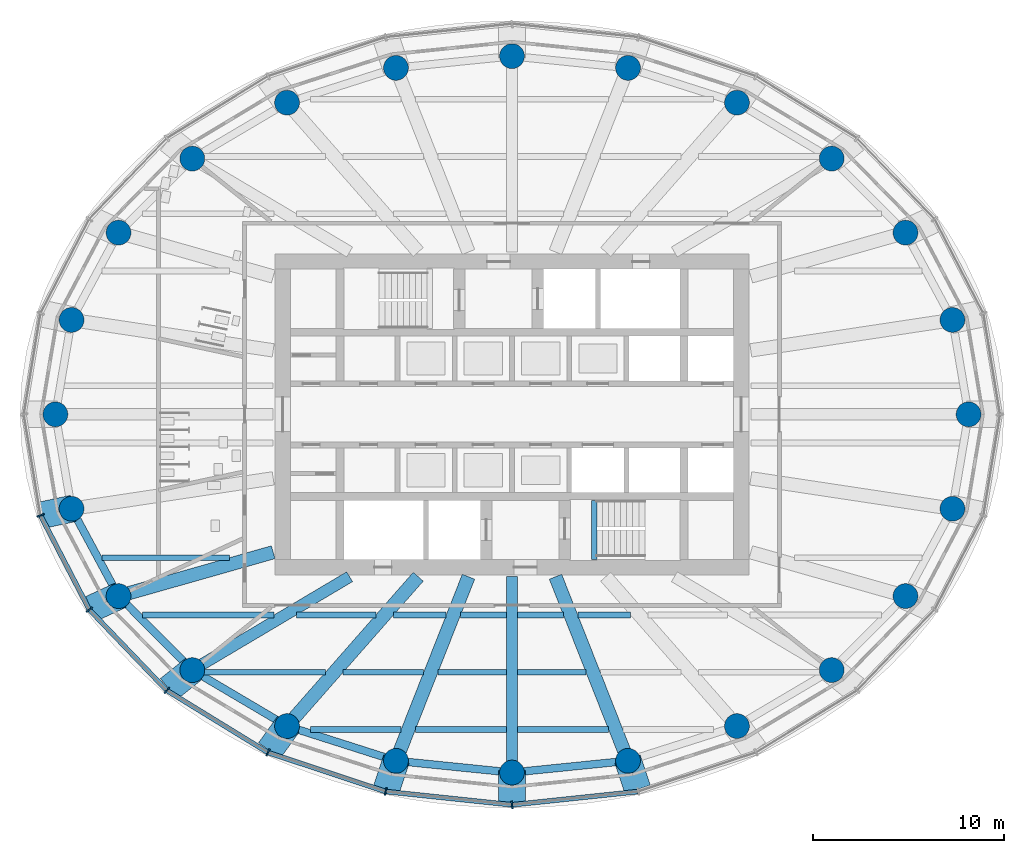
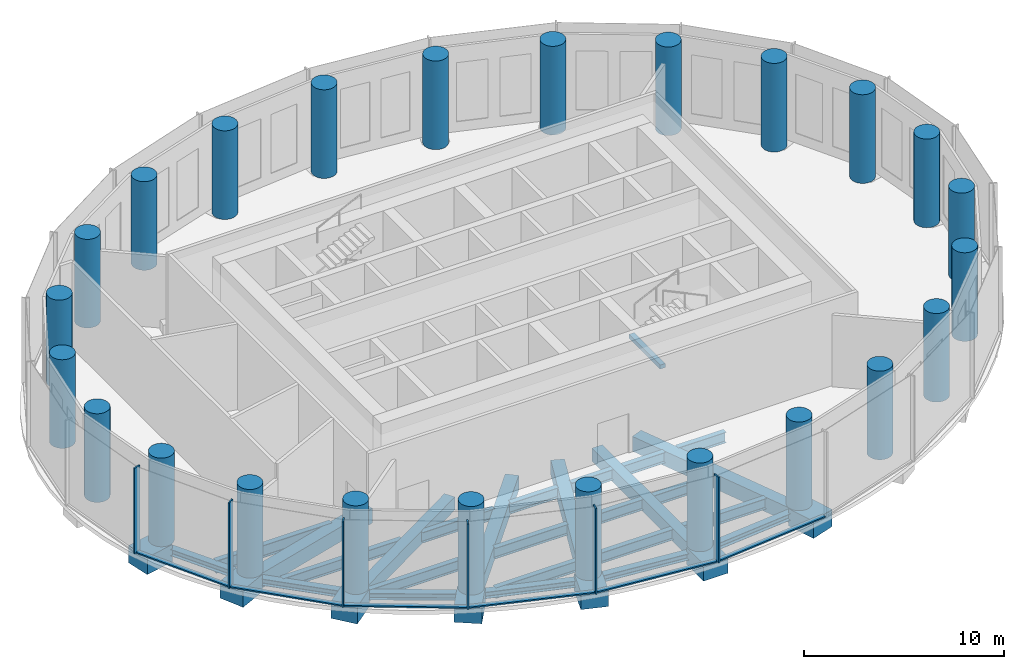
# One storey, part 1 of 13: 34 beams, 24 columns, 12 members, 2 elements without a shape of their own.
"""IFC4 building model written with IfcOpenShell, lengths in metres."""

from ifc_helpers import new_model, si_unit, direction, frame, origin, origin_2d, place, context, subcontext, project, spatial, rectangle, hollow_rectangle, circle, i_section, extrude, material, material_profile, profile_set, type_object, element, aggregate, save


model = new_model("IFC4")

# Units and contexts
model_context = context("Model", 3, precision=1e-05, world=origin(), true_north=direction((0.0, 1.0)))
body_context = subcontext(model_context, "Body", "Model", "MODEL_VIEW")
ifc_project = project(units=[si_unit("LENGTHUNIT", "METRE"), si_unit("AREAUNIT", "SQUARE_METRE"), si_unit("VOLUMEUNIT", "CUBIC_METRE"), si_unit("PLANEANGLEUNIT", "RADIAN"), si_unit("MASSUNIT", "GRAM", prefix="KILO")], contexts=[model_context])

# Site, building, storey
site_placement = place(None, origin())
site = spatial("IfcSite", under=ifc_project, at=site_placement, CompositionType="ELEMENT")
building_placement = place(site_placement, origin())
building = spatial("IfcBuilding", under=site, at=building_placement, Name="Hankou Lantern Tower", CompositionType="ELEMENT")
storey_placement = place(building_placement, frame((0.0, 0.0, 100.199951171875)))
storey = spatial("IfcBuildingStorey", under=building, at=storey_placement, Name="L25", CompositionType="ELEMENT", Elevation=100.199951171875)

# Columns
ifc_material_1 = material(Name="Concrete C60", Category="concrete")
ifc_material_profile_1 = material_profile(ifc_material_1, circle(Radius=0.64990234375, at=origin_2d()), Name="RC D1300")
ifc_profile_set_1 = profile_set([ifc_material_profile_1], Name="Concrete C60")
column_type = type_object("IfcColumnType", Name="TC3 PERIMETER COLUMN RC D1300", PredefinedType="COLUMN", material=ifc_profile_set_1)
for number, where, z_axis, x_axis, name in (
    (1, (23.89990234375, 0.0, 0.0), (0.0, 0.0, 1.0), (1.0, 0.0, 0.0), "Column R01 L25"),
    (2, (23.054931640625, 4.942138671875, 0.0), (0.0, 0.0, 1.0), (1.0, 0.0, 0.0), "Column R02 L25"),
    (3, (20.595703125, 9.5126953125, 0.0), (0.0, 0.0, 1.0), (1.0, 0.0, 0.0), "Column R03 L25"),
    (4, (16.73388671875, 13.38720703125, 0.0), (0.0, 0.0, 1.0), (1.0, 0.0, 0.0), "Column R04 L25"),
    (5, (11.775390625, 16.31640625, 0.0), (0.0, 0.0, 1.0), (1.0, 0.0, 0.0), "Column R05 L25"),
    (6, (6.073974609375, 18.134521484375, 0.0), (0.0, 0.0, 1.0), (1.0, 0.0, 0.0), "Column R06 L25"),
    (7, (0.0, 18.75, 0.0), (0.0, 0.0, 1.0), (1.0, 0.0, 0.0), "Column R07 L25"),
    (8, (-6.073974609375, 18.134521484375, 0.0), (0.0, 0.0, 1.0), (1.0, 0.0, 0.0), "Column R08 L25"),
    (9, (-11.775390625, 16.31640625, 0.0), (0.0, 0.0, 1.0), (1.0, 0.0, 0.0), "Column R09 L25"),
    (10, (-16.73388671875, 13.38720703125, 0.0), (0.0, 0.0, 1.0), (1.0, 0.0, 0.0), "Column R10 L25"),
    (11, (-20.595703125, 9.5126953125, 0.0), (0.0, 0.0, 1.0), (1.0, 0.0, 0.0), "Column R11 L25"),
    (12, (-23.054931640625, 4.942138671875, 0.0), (0.0, 0.0, 1.0), (1.0, 0.0, 0.0), "Column R12 L25"),
    (13, (-23.89990234375, 0.0, 0.0), (0.0, 0.0, 1.0), (1.0, 0.0, 0.0), "Column R13 L25"),
    (14, (-23.054931640625, -4.942138671875, 0.0), (0.0, 0.0, 1.0), (1.0, 0.0, 0.0), "Column R14 L25"),
    (15, (-20.595703125, -9.5126953125, 0.0), (0.0, 0.0, 1.0), (1.0, 0.0, 0.0), "Column R15 L25"),
    (16, (-16.73388671875, -13.38720703125, 0.0), (0.0, 0.0, 1.0), (1.0, 0.0, 0.0), "Column R16 L25"),
    (17, (-11.775390625, -16.31640625, 0.0), (0.0, 0.0, 1.0), (1.0, 0.0, 0.0), "Column R17 L25"),
    (18, (-6.073974609375, -18.134521484375, 0.0), (0.0, 0.0, 1.0), (1.0, 0.0, 0.0), "Column R18 L25"),
    (19, (0.0, -18.75, 0.0), (0.0, 0.0, 1.0), (1.0, 0.0, 0.0), "Column R19 L25"),
    (20, (6.073974609375, -18.134521484375, 0.0), (0.0, 0.0, 1.0), (1.0, 0.0, 0.0), "Column R20 L25"),
    (21, (11.775390625, -16.31640625, 0.0), (0.0, 0.0, 1.0), (1.0, 0.0, 0.0), "Column R21 L25"),
    (22, (16.73388671875, -13.38720703125, 0.0), (0.0, 0.0, 1.0), (1.0, 0.0, 0.0), "Column R22 L25"),
    (23, (20.595703125, -9.5126953125, 0.0), (0.0, 0.0, 1.0), (1.0, 0.0, 0.0), "Column R23 L25"),
    (24, (23.054931640625, -4.942138671875, 0.0), (0.0, 0.0, 1.0), (1.0, 0.0, 0.0), "Column R24 L25"),
):
    element("IfcColumn", number, at=place(storey_placement, frame(where, z_axis=z_axis, x_axis=x_axis)), inside=storey, type_object=column_type, Name=name, PredefinedType="COLUMN", context=body_context, shape_type="SweptSolid", body=[
        extrude(circle(Radius=0.64990234375, at=origin_2d()), origin(), (0.0, 0.0, 1.0), 5.400146484375),
    ])

# Beams
ifc_material_2 = material(Name="Steel Q355B", Category="steel")
ifc_material_profile_2 = material_profile(ifc_material_2, i_section(OverallWidth=0.39990234375, OverallDepth=0.39990234375, WebThickness=0.012939453125, FlangeThickness=0.02099609375, FilletRadius=0.02197265625, at=origin_2d()), Name="HW400x400x13x21")
ifc_profile_set_2 = profile_set([ifc_material_profile_2], Name="Steel Q355B")
beam_type_1 = type_object("IfcBeamType", Name="EB19 RING BEAM HW400x400x13x21", PredefinedType="SPANDREL", material=ifc_profile_set_2)
beam_1_placement = place(storey_placement, frame((-23.054931640625, -4.942138671875, -0.449951171875), z_axis=(0.473824901673, -0.880619079145, 0.0), x_axis=(0.880619079145, 0.473824901673, 0.0)))
element("IfcBeam", 25, at=beam_1_placement, inside=storey, type_object=beam_type_1, Name="Ring beam R14-R15 L25", PredefinedType="SPANDREL", context=body_context, shape_type="SweptSolid", body=[
    extrude(i_section(OverallWidth=0.39990234375, OverallDepth=0.39990234375, WebThickness=0.012939453125, FlangeThickness=0.02099609375, FilletRadius=0.02197265625, at=origin_2d()), origin(), (0.0, 0.0, 1.0), 5.190185546875),
])
beam_2_placement = place(storey_placement, frame((-20.595703125, -9.5126953125, -0.449951171875), z_axis=(0.705945468625, -0.708266189599, 0.0), x_axis=(0.708266189599, 0.705945468625, 0.0)))
element("IfcBeam", 26, at=beam_2_placement, inside=storey, type_object=beam_type_1, Name="Ring beam R15-R16 L25", PredefinedType="SPANDREL", context=body_context, shape_type="SweptSolid", body=[
    extrude(i_section(OverallWidth=0.39990234375, OverallDepth=0.39990234375, WebThickness=0.012939453125, FlangeThickness=0.02099609375, FilletRadius=0.02197265625, at=origin_2d()), origin(), (0.0, 0.0, 1.0), 5.470458984375),
])
beam_3_placement = place(storey_placement, frame((-16.73388671875, -13.38720703125, -0.449951171875), z_axis=(0.860988974188, -0.508623619513, 0.0), x_axis=(0.508623619513, 0.860988974188, 0.0)))
element("IfcBeam", 27, at=beam_3_placement, inside=storey, type_object=beam_type_1, Name="Ring beam R16-R17 L25", PredefinedType="SPANDREL", context=body_context, shape_type="SweptSolid", body=[
    extrude(i_section(OverallWidth=0.39990234375, OverallDepth=0.39990234375, WebThickness=0.012939453125, FlangeThickness=0.02099609375, FilletRadius=0.02197265625, at=origin_2d()), origin(), (0.0, 0.0, 1.0), 5.759033203125),
])
beam_4_placement = place(storey_placement, frame((-11.775390625, -16.31640625, -0.449951171875), z_axis=(0.952731090451, -0.303814860215, 0.0), x_axis=(0.303814860215, 0.952731090451, 0.0)))
element("IfcBeam", 28, at=beam_4_placement, inside=storey, type_object=beam_type_1, Name="Ring beam R17-R18 L25", PredefinedType="SPANDREL", context=body_context, shape_type="SweptSolid", body=[
    extrude(i_section(OverallWidth=0.39990234375, OverallDepth=0.39990234375, WebThickness=0.012939453125, FlangeThickness=0.02099609375, FilletRadius=0.02197265625, at=origin_2d()), origin(), (0.0, 0.0, 1.0), 5.984375),
])
for number, where, z_axis, x_axis, name in (
    (29, (-6.073974609375, -18.134521484375, -0.449951171875), (0.994905271594, -0.100814188259, 0.0), (0.100814188259, 0.994905271594, 0.0), "Ring beam R18-R19 L25"),
    (30, (0.0, -18.75, -0.449951171875), (0.994905271594, 0.100814188259, 0.0), (-0.100814188259, 0.994905271594, 0.0), "Ring beam R19-R20 L25"),
):
    element("IfcBeam", number, at=place(storey_placement, frame(where, z_axis=z_axis, x_axis=x_axis)), inside=storey, type_object=beam_type_1, Name=name, PredefinedType="SPANDREL", context=body_context, shape_type="SweptSolid", body=[
        extrude(i_section(OverallWidth=0.39990234375, OverallDepth=0.39990234375, WebThickness=0.012939453125, FlangeThickness=0.02099609375, FilletRadius=0.02197265625, at=origin_2d()), origin(), (0.0, 0.0, 1.0), 6.10498046875),
    ])
ifc_material_3 = material(Name="Concrete C40", Category="concrete")
ifc_material_profile_3 = material_profile(ifc_material_3, rectangle(XDim=0.300048828125, YDim=0.25, at=origin_2d()), Name="RC 300x250")
ifc_profile_set_3 = profile_set([ifc_material_profile_3], Name="Concrete C40")
beam_type_2 = type_object("IfcBeamType", Name="LB1 STAIR LANDING BEAM RC 300x250", PredefinedType="BEAM", material=ifc_profile_set_3)
beam_5_placement = place(storey_placement, frame((4.300048828125, -4.5, 2.574951171875), z_axis=(0.0, -1.0, 0.0), x_axis=(1.0, 0.0, 0.0)))
element("IfcBeam", 31, at=beam_5_placement, inside=storey, type_object=beam_type_2, Name="Stair STB landing beam L25", PredefinedType="BEAM", context=body_context, shape_type="SweptSolid", body=[
    extrude(rectangle(XDim=0.300048828125, YDim=0.25, at=origin_2d()), origin(), (0.0, 0.0, 1.0), 3.10009765625),
])

# Curtain wall, members
ifc_material_4 = material(Name="Glass, dark grey tinted laminated", Category="glass")
curtain_wall_type = type_object("IfcCurtainWallType", Name="CWB OUTER SKIN MID-RISE", PredefinedType="USERDEFINED", material=ifc_material_4)
curtain_wall_1_placement = place(storey_placement, origin())
curtain_wall_1 = element("IfcCurtainWall", 32, at=curtain_wall_1_placement, inside=storey, type_object=curtain_wall_type, Name="CWB L25 OS3", ObjectType="OUTER SKIN MID-RISE", PredefinedType="USERDEFINED")
ifc_material_5 = material(Name="Aluminium, black anodised", Category="aluminium")
ifc_material_profile_4 = material_profile(ifc_material_5, rectangle(XDim=0.080078125, YDim=0.39990234375, at=origin_2d()), Name="MU3 80X400")
ifc_profile_set_4 = profile_set([ifc_material_profile_4], Name="Aluminium, black anodised")
member_type_1 = type_object("IfcMemberType", Name="MU3 OUTER SKIN TALL MULLION 80X400", PredefinedType="MULLION", material=ifc_profile_set_4)
member_1_placement = place(storey_placement, frame((-24.679443359375, -5.290283203125, 0.0), z_axis=(0.0, 0.0, 1.0), x_axis=(0.317595577365, -0.94822626479, 0.0)))
member_1 = element("IfcMember", 33, at=member_1_placement, type_object=member_type_1, Name="CWB mullion 2", PredefinedType="MULLION", context=body_context, shape_type="SweptSolid", body=[
    extrude(rectangle(XDim=0.080078125, YDim=0.39990234375, at=origin_2d()), origin(), (0.0, 0.0, 1.0), 5.219970703125),
])
member_2_placement = place(storey_placement, frame((-22.126953125, -10.219970703125, 0.0), z_axis=(0.0, 0.0, 1.0), x_axis=(0.585205735974, -0.810884854084, 0.0)))
member_2 = element("IfcMember", 34, at=member_2_placement, type_object=member_type_1, Name="CWB mullion 3", PredefinedType="MULLION", context=body_context, shape_type="SweptSolid", body=[
    extrude(rectangle(XDim=0.080078125, YDim=0.39990234375, at=origin_2d()), origin(), (0.0, 0.0, 1.0), 5.219970703125),
])
member_3_placement = place(storey_placement, frame((-18.066650390625, -14.453369140625, 0.0), z_axis=(0.0, 0.0, 1.0), x_axis=(0.780868809444, -0.624695047553, 0.0)))
member_3 = element("IfcMember", 35, at=member_3_placement, type_object=member_type_1, Name="CWB mullion 4", PredefinedType="MULLION", context=body_context, shape_type="SweptSolid", body=[
    extrude(rectangle(XDim=0.080078125, YDim=0.39990234375, at=origin_2d()), origin(), (0.0, 0.0, 1.0), 5.219970703125),
])
member_4_placement = place(storey_placement, frame((-12.77490234375, -17.70166015625, 0.0), z_axis=(0.0, 0.0, 1.0), x_axis=(0.907841299004, -0.419313934686, 0.0)))
member_4 = element("IfcMember", 36, at=member_4_placement, type_object=member_type_1, Name="CWB mullion 5", PredefinedType="MULLION", context=body_context, shape_type="SweptSolid", body=[
    extrude(rectangle(XDim=0.080078125, YDim=0.39990234375, at=origin_2d()), origin(), (0.0, 0.0, 1.0), 5.219970703125),
])
member_5_placement = place(storey_placement, frame((-6.61279296875, -19.743408203125, 0.0), z_axis=(0.0, 0.0, 1.0), x_axis=(0.977787659625, -0.209597931016, 0.0)))
member_5 = element("IfcMember", 37, at=member_5_placement, type_object=member_type_1, Name="CWB mullion 6", PredefinedType="MULLION", context=body_context, shape_type="SweptSolid", body=[
    extrude(rectangle(XDim=0.080078125, YDim=0.39990234375, at=origin_2d()), origin(), (0.0, 0.0, 1.0), 5.219970703125),
])

# Curtain wall, member
curtain_wall_2_placement = place(storey_placement, origin())
curtain_wall_2 = element("IfcCurtainWall", 38, at=curtain_wall_2_placement, inside=storey, type_object=curtain_wall_type, Name="CWB L25 OS4", ObjectType="OUTER SKIN MID-RISE", PredefinedType="USERDEFINED")
member_6_placement = place(storey_placement, frame((0.0, -20.43994140625, 0.0), z_axis=(0.0, 0.0, 1.0), x_axis=(0.994499359107, 0.104742659579, 0.0)))
member_6 = element("IfcMember", 39, at=member_6_placement, type_object=member_type_1, Name="CWB mullion 1", PredefinedType="MULLION", context=body_context, shape_type="SweptSolid", body=[
    extrude(rectangle(XDim=0.080078125, YDim=0.39990234375, at=origin_2d()), origin(), (0.0, 0.0, 1.0), 5.219970703125),
])

# Beams
ifc_material_6 = material(Name="Steel Q390GJ", Category="steel")
ifc_material_profile_5 = material_profile(ifc_material_6, hollow_rectangle(XDim=0.60009765625, YDim=0.800048828125, WallThickness=0.050048828125, at=origin_2d()), Name="BOX800x600x50")
ifc_profile_set_5 = profile_set([ifc_material_profile_5], Name="Steel Q390GJ")
beam_type_3 = type_object("IfcBeamType", Name="OT1 OUTRIGGER CHORD BOX800x600x50", PredefinedType="BEAM", material=ifc_profile_set_5)
beam_6_placement = place(storey_placement, frame((-8.5, -8.5, -0.64990234375), z_axis=(-0.859930987627, -0.51041032172, 0.0), x_axis=(0.51041032172, -0.859930987627, 0.0)))
element("IfcBeam", 40, at=beam_6_placement, inside=storey, type_object=beam_type_3, Name="Radial beam R16 L25", PredefinedType="BEAM", context=body_context, shape_type="SweptSolid", body=[
    extrude(hollow_rectangle(XDim=0.60009765625, YDim=0.800048828125, WallThickness=0.050048828125, at=origin_2d()), origin(), (0.0, 0.0, 1.0), 9.574951171875),
])
beam_7_placement = place(storey_placement, frame((0.0, -8.5, -0.64990234375), z_axis=(0.0, -1.0, 0.0), x_axis=(1.0, 0.0, 0.0)))
element("IfcBeam", 41, at=beam_7_placement, inside=storey, type_object=beam_type_3, Name="Radial beam R19 L25", PredefinedType="BEAM", context=body_context, shape_type="SweptSolid", body=[
    extrude(hollow_rectangle(XDim=0.60009765625, YDim=0.800048828125, WallThickness=0.050048828125, at=origin_2d()), origin(), (0.0, 0.0, 1.0), 10.25),
])
ifc_material_7 = material(Name="Steel Q355B", Category="steel")
ifc_material_profile_6 = material_profile(ifc_material_7, hollow_rectangle(XDim=0.699951171875, YDim=0.89990234375, WallThickness=0.050048828125, at=origin_2d()), Name="BOX900x700x50")
ifc_profile_set_6 = profile_set([ifc_material_profile_6], Name="Steel Q355B")
beam_type_4 = type_object("IfcBeamType", Name="RB27 RADIAL BEAM BOX900x700x50", PredefinedType="BEAM", material=ifc_profile_set_6)
beam_8_placement = place(storey_placement, frame((-12.5, -7.216796875, -0.699951171875), z_axis=(-0.96206075006, -0.272835322484, 0.0), x_axis=(0.272835322484, -0.96206075006, 0.0)))
element("IfcBeam", 42, at=beam_8_placement, inside=storey, type_object=beam_type_4, Name="Radial beam R15 L25", PredefinedType="BEAM", context=body_context, shape_type="SweptSolid", body=[
    extrude(hollow_rectangle(XDim=0.699951171875, YDim=0.89990234375, WallThickness=0.050048828125, at=origin_2d()), origin(), (0.0, 0.0, 1.0), 8.4150390625),
])
beam_9_placement = place(storey_placement, frame((-4.907470703125, -8.5, -0.699951171875), z_axis=(-0.660058037613, -0.751214607807, 0.0), x_axis=(0.751214607807, -0.660058037613, 0.0)))
element("IfcBeam", 43, at=beam_9_placement, inside=storey, type_object=beam_type_4, Name="Radial beam R17 L25", PredefinedType="BEAM", context=body_context, shape_type="SweptSolid", body=[
    extrude(hollow_rectangle(XDim=0.699951171875, YDim=0.89990234375, WallThickness=0.050048828125, at=origin_2d()), origin(), (0.0, 0.0, 1.0), 10.405029296875),
])
for number, where, z_axis, x_axis, name in (
    (44, (-2.277587890625, -8.5, -0.699951171875), (-0.366605533444, -0.930376473718, 0.0), (0.930376473718, -0.366605533444, 0.0), "Radial beam R18 L25"),
    (45, (2.277587890625, -8.5, -0.699951171875), (0.366605533444, -0.930376473718, 0.0), (0.930376473718, 0.366605533444, 0.0), "Radial beam R20 L25"),
):
    element("IfcBeam", number, at=place(storey_placement, frame(where, z_axis=z_axis, x_axis=x_axis)), inside=storey, type_object=beam_type_4, Name=name, PredefinedType="BEAM", context=body_context, shape_type="SweptSolid", body=[
        extrude(hollow_rectangle(XDim=0.699951171875, YDim=0.89990234375, WallThickness=0.050048828125, at=origin_2d()), origin(), (0.0, 0.0, 1.0), 10.35546875),
    ])
ifc_material_8 = material(Name="Steel Q355B", Category="steel")
ifc_material_profile_7 = material_profile(ifc_material_8, i_section(OverallWidth=0.300048828125, OverallDepth=0.75, WebThickness=0.012939453125, FlangeThickness=0.02392578125, FilletRadius=0.01806640625, at=origin_2d()), Name="HN750x300x13x24")
ifc_profile_set_7 = profile_set([ifc_material_profile_7], Name="Steel Q355B")
beam_type_5 = type_object("IfcBeamType", Name="SB10 SECONDARY BEAM HN750x300x13x24", PredefinedType="JOIST", material=ifc_profile_set_7)
beam_10_placement = place(storey_placement, frame((-21.451416015625, -7.5, -0.625), z_axis=(1.0, 0.0, 0.0), x_axis=(0.0, 1.0, 0.0)))
element("IfcBeam", 46, at=beam_10_placement, inside=storey, type_object=beam_type_5, Name="Floor joist J019 L25", PredefinedType="JOIST", context=body_context, shape_type="SweptSolid", body=[
    extrude(i_section(OverallWidth=0.300048828125, OverallDepth=0.75, WebThickness=0.012939453125, FlangeThickness=0.02392578125, FilletRadius=0.01806640625, at=origin_2d()), origin(), (0.0, 0.0, 1.0), 6.670166015625),
])
ifc_material_9 = material(Name="Steel Q355B", Category="steel")
ifc_material_profile_8 = material_profile(ifc_material_9, i_section(OverallWidth=0.300048828125, OverallDepth=0.64990234375, WebThickness=0.010986328125, FlangeThickness=0.01708984375, FilletRadius=0.01806640625, at=origin_2d()), Name="HN650x300x11x17")
ifc_profile_set_8 = profile_set([ifc_material_profile_8], Name="Steel Q355B")
beam_type_6 = type_object("IfcBeamType", Name="SB8 SECONDARY BEAM HN650x300x11x17", PredefinedType="JOIST", material=ifc_profile_set_8)
beam_11_placement = place(storey_placement, frame((-10.541015625, -16.5, -0.574951171875), z_axis=(1.0, 0.0, 0.0), x_axis=(0.0, 1.0, 0.0)))
element("IfcBeam", 47, at=beam_11_placement, inside=storey, type_object=beam_type_6, Name="Floor joist J001 L25", PredefinedType="JOIST", context=body_context, shape_type="SweptSolid", body=[
    extrude(i_section(OverallWidth=0.300048828125, OverallDepth=0.64990234375, WebThickness=0.010986328125, FlangeThickness=0.01708984375, FilletRadius=0.01806640625, at=origin_2d()), origin(), (0.0, 0.0, 1.0), 4.73486328125),
])
for number, where, z_axis, x_axis, name in (
    (48, (-5.0537109375, -16.5, -0.574951171875), (1.0, 0.0, 0.0), (0.0, 1.0, 0.0), "Floor joist J002 L25"),
    (49, (0.300048828125, -16.5, -0.574951171875), (1.0, 0.0, 0.0), (0.0, 1.0, 0.0), "Floor joist J003 L25"),
):
    element("IfcBeam", number, at=place(storey_placement, frame(where, z_axis=z_axis, x_axis=x_axis)), inside=storey, type_object=beam_type_6, Name=name, PredefinedType="JOIST", context=body_context, shape_type="SweptSolid", body=[
        extrude(i_section(OverallWidth=0.300048828125, OverallDepth=0.64990234375, WebThickness=0.010986328125, FlangeThickness=0.01708984375, FilletRadius=0.01806640625, at=origin_2d()), origin(), (0.0, 0.0, 1.0), 4.753662109375),
    ])
beam_12_placement = place(storey_placement, frame((-16.149658203125, -13.5, -0.574951171875), z_axis=(1.0, 0.0, 0.0), x_axis=(0.0, 1.0, 0.0)))
element("IfcBeam", 50, at=beam_12_placement, inside=storey, type_object=beam_type_6, Name="Floor joist J005 L25", PredefinedType="JOIST", context=body_context, shape_type="SweptSolid", body=[
    extrude(i_section(OverallWidth=0.300048828125, OverallDepth=0.64990234375, WebThickness=0.010986328125, FlangeThickness=0.01708984375, FilletRadius=0.01806640625, at=origin_2d()), origin(), (0.0, 0.0, 1.0), 6.383056640625),
])
beam_13_placement = place(storey_placement, frame((-8.834716796875, -13.5, -0.574951171875), z_axis=(1.0, 0.0, 0.0), x_axis=(0.0, 1.0, 0.0)))
element("IfcBeam", 51, at=beam_13_placement, inside=storey, type_object=beam_type_6, Name="Floor joist J006 L25", PredefinedType="JOIST", context=body_context, shape_type="SweptSolid", body=[
    extrude(i_section(OverallWidth=0.300048828125, OverallDepth=0.64990234375, WebThickness=0.010986328125, FlangeThickness=0.01708984375, FilletRadius=0.01806640625, at=origin_2d()), origin(), (0.0, 0.0, 1.0), 4.2109375),
])
for number, where, z_axis, x_axis, name in (
    (52, (-3.87158203125, -13.5, -0.574951171875), (1.0, 0.0, 0.0), (0.0, 1.0, 0.0), "Floor joist J007 L25"),
    (53, (0.300048828125, -13.5, -0.574951171875), (1.0, 0.0, 0.0), (0.0, 1.0, 0.0), "Floor joist J008 L25"),
):
    element("IfcBeam", number, at=place(storey_placement, frame(where, z_axis=z_axis, x_axis=x_axis)), inside=storey, type_object=beam_type_6, Name=name, PredefinedType="JOIST", context=body_context, shape_type="SweptSolid", body=[
        extrude(i_section(OverallWidth=0.300048828125, OverallDepth=0.64990234375, WebThickness=0.010986328125, FlangeThickness=0.01708984375, FilletRadius=0.01806640625, at=origin_2d()), origin(), (0.0, 0.0, 1.0), 3.571533203125),
    ])
beam_14_placement = place(storey_placement, frame((-19.3291015625, -10.5, -0.574951171875), z_axis=(1.0, 0.0, 0.0), x_axis=(0.0, 1.0, 0.0)))
element("IfcBeam", 54, at=beam_14_placement, inside=storey, type_object=beam_type_6, Name="Floor joist J011 L25", PredefinedType="JOIST", context=body_context, shape_type="SweptSolid", body=[
    extrude(i_section(OverallWidth=0.300048828125, OverallDepth=0.64990234375, WebThickness=0.010986328125, FlangeThickness=0.01708984375, FilletRadius=0.01806640625, at=origin_2d()), origin(), (0.0, 0.0, 1.0), 6.871826171875),
])
beam_15_placement = place(storey_placement, frame((-11.28173828125, -10.5, -0.574951171875), z_axis=(1.0, 0.0, 0.0), x_axis=(0.0, 1.0, 0.0)))
element("IfcBeam", 55, at=beam_15_placement, inside=storey, type_object=beam_type_6, Name="Floor joist J012 L25", PredefinedType="JOIST", context=body_context, shape_type="SweptSolid", body=[
    extrude(i_section(OverallWidth=0.300048828125, OverallDepth=0.64990234375, WebThickness=0.010986328125, FlangeThickness=0.01708984375, FilletRadius=0.01806640625, at=origin_2d()), origin(), (0.0, 0.0, 1.0), 4.151123046875),
])
beam_16_placement = place(storey_placement, frame((-6.198974609375, -10.5, -0.574951171875), z_axis=(1.0, 0.0, 0.0), x_axis=(0.0, 1.0, 0.0)))
element("IfcBeam", 56, at=beam_16_placement, inside=storey, type_object=beam_type_6, Name="Floor joist J013 L25", PredefinedType="JOIST", context=body_context, shape_type="SweptSolid", body=[
    extrude(i_section(OverallWidth=0.300048828125, OverallDepth=0.64990234375, WebThickness=0.010986328125, FlangeThickness=0.01708984375, FilletRadius=0.01806640625, at=origin_2d()), origin(), (0.0, 0.0, 1.0), 2.757080078125),
])
for number, where, z_axis, x_axis, name in (
    (57, (-2.689453125, -10.5, -0.574951171875), (1.0, 0.0, 0.0), (0.0, 1.0, 0.0), "Floor joist J014 L25"),
    (58, (0.300048828125, -10.5, -0.574951171875), (1.0, 0.0, 0.0), (0.0, 1.0, 0.0), "Floor joist J015 L25"),
):
    element("IfcBeam", number, at=place(storey_placement, frame(where, z_axis=z_axis, x_axis=x_axis)), inside=storey, type_object=beam_type_6, Name=name, PredefinedType="JOIST", context=body_context, shape_type="SweptSolid", body=[
        extrude(i_section(OverallWidth=0.300048828125, OverallDepth=0.64990234375, WebThickness=0.010986328125, FlangeThickness=0.01708984375, FilletRadius=0.01806640625, at=origin_2d()), origin(), (0.0, 0.0, 1.0), 2.389404296875),
    ])
beam_17_placement = place(storey_placement, frame((3.44189453125, -10.5, -0.574951171875), z_axis=(1.0, 0.0, 0.0), x_axis=(0.0, 1.0, 0.0)))
element("IfcBeam", 59, at=beam_17_placement, inside=storey, type_object=beam_type_6, Name="Floor joist J016 L25", PredefinedType="JOIST", context=body_context, shape_type="SweptSolid", body=[
    extrude(i_section(OverallWidth=0.300048828125, OverallDepth=0.64990234375, WebThickness=0.010986328125, FlangeThickness=0.01708984375, FilletRadius=0.01806640625, at=origin_2d()), origin(), (0.0, 0.0, 1.0), 2.757080078125),
])
ifc_material_10 = material(Name="Concrete C60", Category="concrete")
ifc_material_profile_9 = material_profile(ifc_material_10, rectangle(XDim=1.39990234375, YDim=1.050048828125, at=origin_2d()), Name="RC 1400x1050")
ifc_profile_set_9 = profile_set([ifc_material_profile_9], Name="Concrete C60")
beam_type_7 = type_object("IfcBeamType", Name="TN1 TRANSFER NODE RC 1400x1050", PredefinedType="BEAM", material=ifc_profile_set_9)
beam_18_placement = place(storey_placement, frame((-24.599853515625, -5.273193359375, -0.52490234375), z_axis=(0.977800287519, 0.209539012424, 0.0), x_axis=(-0.209539012424, 0.977800287519, 0.0)))
element("IfcBeam", 60, at=beam_18_placement, inside=storey, type_object=beam_type_7, Name="Transfer node R14 L25", PredefinedType="BEAM", context=body_context, shape_type="SweptSolid", body=[
    extrude(rectangle(XDim=1.39990234375, YDim=1.050048828125, at=origin_2d()), origin(), (0.0, 0.0, 1.0), 1.68017578125),
])
beam_19_placement = place(storey_placement, frame((-22.030029296875, -10.17529296875, -0.52490234375), z_axis=(0.907806207555, 0.419389901553, 0.0), x_axis=(-0.419389901553, 0.907806207555, 0.0)))
element("IfcBeam", 61, at=beam_19_placement, inside=storey, type_object=beam_type_7, Name="Transfer node R15 L25", PredefinedType="BEAM", context=body_context, shape_type="SweptSolid", body=[
    extrude(rectangle(XDim=1.39990234375, YDim=1.050048828125, at=origin_2d()), origin(), (0.0, 0.0, 1.0), 1.679931640625),
])
beam_20_placement = place(storey_placement, frame((-17.9677734375, -14.374267578125, -0.52490234375), z_axis=(0.780882985592, 0.624677326956, 0.0), x_axis=(-0.624677326956, 0.780882985592, 0.0)))
element("IfcBeam", 62, at=beam_20_placement, inside=storey, type_object=beam_type_7, Name="Transfer node R16 L25", PredefinedType="BEAM", context=body_context, shape_type="SweptSolid", body=[
    extrude(rectangle(XDim=1.39990234375, YDim=1.050048828125, at=origin_2d()), origin(), (0.0, 0.0, 1.0), 1.68017578125),
])
for number, where, z_axis, x_axis, name in (
    (63, (-12.699951171875, -17.59765625, -0.52490234375), (0.585204003834, 0.810886104146, 0.0), (-0.810886104146, 0.585204003834, 0.0), "Transfer node R17 L25"),
    (64, (-6.57568359375, -19.632568359375, -0.52490234375), (0.31766605471, 0.948202656443, 0.0), (-0.948202656443, 0.31766605471, 0.0), "Transfer node R18 L25"),
):
    element("IfcBeam", number, at=place(storey_placement, frame(where, z_axis=z_axis, x_axis=x_axis)), inside=storey, type_object=beam_type_7, Name=name, PredefinedType="BEAM", context=body_context, shape_type="SweptSolid", body=[
        extrude(rectangle(XDim=1.39990234375, YDim=1.050048828125, at=origin_2d()), origin(), (0.0, 0.0, 1.0), 1.679931640625),
    ])
beam_21_placement = place(storey_placement, frame((0.0, -20.330078125, -0.52490234375), z_axis=(0.0, 1.0, 0.0), x_axis=(-1.0, 0.0, 0.0)))
element("IfcBeam", 65, at=beam_21_placement, inside=storey, type_object=beam_type_7, Name="Transfer node R19 L25", PredefinedType="BEAM", context=body_context, shape_type="SweptSolid", body=[
    extrude(rectangle(XDim=1.39990234375, YDim=1.050048828125, at=origin_2d()), origin(), (0.0, 0.0, 1.0), 1.68017578125),
])
beam_22_placement = place(storey_placement, frame((6.57568359375, -19.632568359375, -0.52490234375), z_axis=(-0.31766605471, 0.948202656443, 0.0), x_axis=(-0.948202656443, -0.31766605471, 0.0)))
element("IfcBeam", 66, at=beam_22_placement, inside=storey, type_object=beam_type_7, Name="Transfer node R20 L25", PredefinedType="BEAM", context=body_context, shape_type="SweptSolid", body=[
    extrude(rectangle(XDim=1.39990234375, YDim=1.050048828125, at=origin_2d()), origin(), (0.0, 0.0, 1.0), 1.679931640625),
])

# Member
ifc_material_11 = material(Name="Aluminium, black anodised", Category="aluminium")
ifc_material_profile_10 = material_profile(ifc_material_11, rectangle(XDim=0.25, YDim=0.080078125, at=origin_2d()), Name="TR3 250X80")
ifc_profile_set_10 = profile_set([ifc_material_profile_10], Name="Aluminium, black anodised")
member_type_2 = type_object("IfcMemberType", Name="TR3 OUTER SKIN TALL TRANSOM 250X80", PredefinedType="USERDEFINED", material=ifc_profile_set_10)
member_7_placement = place(storey_placement, frame((-24.6611328125, -5.32568359375, 0.0400390625), z_axis=(0.459805240543, -0.888019786249, 0.0), x_axis=(0.888019786249, 0.459805240543, 0.0)))
member_7 = element("IfcMember", 67, at=member_7_placement, type_object=member_type_2, Name="CWB transom 2", ObjectType="TRANSOM", PredefinedType="USERDEFINED", context=body_context, shape_type="SweptSolid", body=[
    extrude(rectangle(XDim=0.25, YDim=0.080078125, at=origin_2d()), origin(), (0.0, 0.0, 1.0), 5.4716796875),
])

member_8_placement = place(storey_placement, frame((-22.099365234375, -10.248779296875, 0.0400390625), z_axis=(0.692226977748, -0.721679853729, 0.0), x_axis=(0.721679853729, 0.692226977748, 0.0)))
member_8 = element("IfcMember", 68, at=member_8_placement, type_object=member_type_2, Name="CWB transom 3", ObjectType="TRANSOM", PredefinedType="USERDEFINED", context=body_context, shape_type="SweptSolid", body=[
    extrude(rectangle(XDim=0.25, YDim=0.080078125, at=origin_2d()), origin(), (0.0, 0.0, 1.0), 5.785888671875),
])

member_9_placement = place(storey_placement, frame((-18.032470703125, -14.47412109375, 0.0400390625), z_axis=(0.852229492169, -0.523168130411, 0.0), x_axis=(0.523168130411, 0.852229492169, 0.0)))
member_9 = element("IfcMember", 69, at=member_9_placement, type_object=member_type_2, Name="CWB transom 4", ObjectType="TRANSOM", PredefinedType="USERDEFINED", context=body_context, shape_type="SweptSolid", body=[
    extrude(rectangle(XDim=0.25, YDim=0.080078125, at=origin_2d()), origin(), (0.0, 0.0, 1.0), 6.129150390625),
])

member_10_placement = place(storey_placement, frame((-12.737060546875, -17.714111328125, 0.0400390625), z_axis=(0.949237765745, -0.314559476225, 0.0), x_axis=(0.314559476225, 0.949237765745, 0.0)))
member_10 = element("IfcMember", 70, at=member_10_placement, type_object=member_type_2, Name="CWB transom 5", ObjectType="TRANSOM", PredefinedType="USERDEFINED", context=body_context, shape_type="SweptSolid", body=[
    extrude(rectangle(XDim=0.25, YDim=0.080078125, at=origin_2d()), origin(), (0.0, 0.0, 1.0), 6.41162109375),
])

member_11_placement = place(storey_placement, frame((-6.572998046875, -19.747802734375, 0.0400390625), z_axis=(0.994500972001, -0.10472734451, 0.0), x_axis=(0.10472734451, 0.994500972001, 0.0)))
member_11 = element("IfcMember", 71, at=member_11_placement, type_object=member_type_2, Name="CWB transom 6", ObjectType="TRANSOM", PredefinedType="USERDEFINED", context=body_context, shape_type="SweptSolid", body=[
    extrude(rectangle(XDim=0.25, YDim=0.080078125, at=origin_2d()), origin(), (0.0, 0.0, 1.0), 6.5693359375),
])

aggregate(curtain_wall_1, [member_1, member_2, member_3, member_4, member_5, member_7, member_8, member_9, member_10, member_11])

member_12_placement = place(storey_placement, frame((0.039794921875, -20.435791015625, 0.0400390625), z_axis=(0.994500972001, 0.10472734451, 0.0), x_axis=(-0.10472734451, 0.994500972001, 0.0)))
member_12 = element("IfcMember", 72, at=member_12_placement, type_object=member_type_2, Name="CWB transom 1", ObjectType="TRANSOM", PredefinedType="USERDEFINED", context=body_context, shape_type="SweptSolid", body=[
    extrude(rectangle(XDim=0.25, YDim=0.080078125, at=origin_2d()), origin(), (0.0, 0.0, 1.0), 6.5693359375),
])

aggregate(curtain_wall_2, [member_6, member_12])

save(model, "model.ifc")
